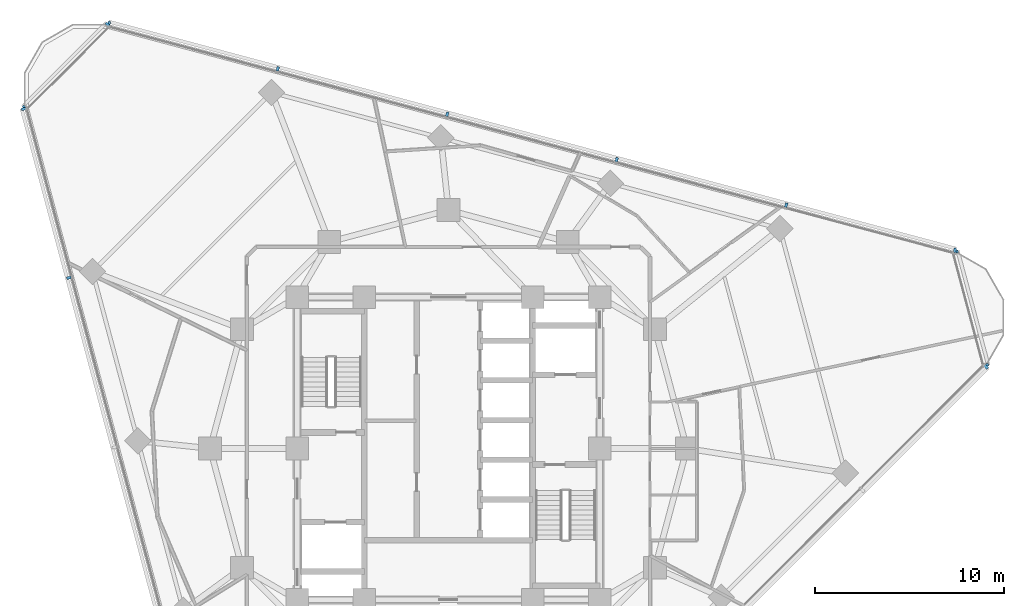
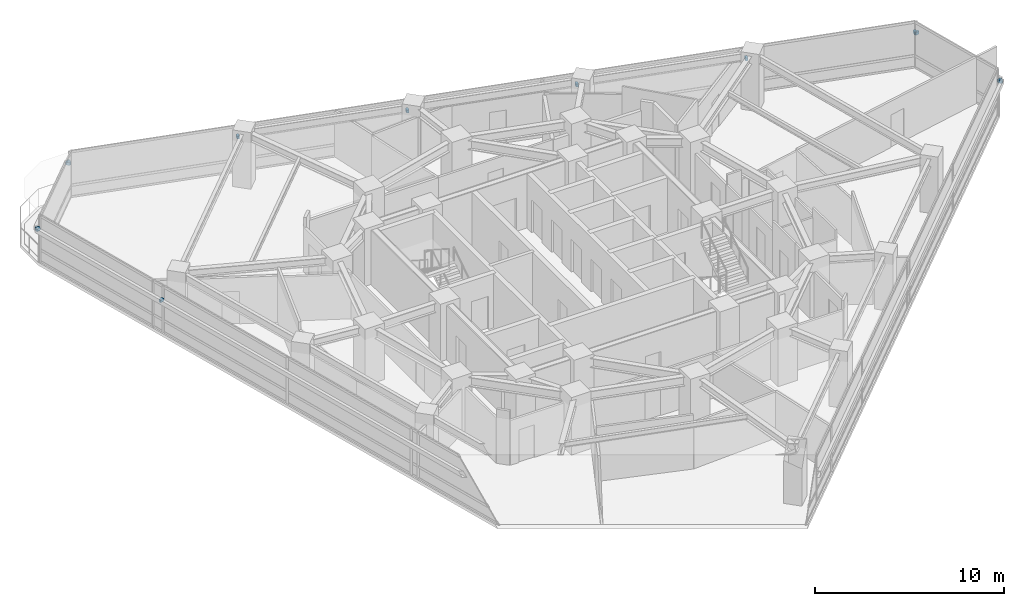
# One storey, part 10 of 14: 13 discrete accessories.
"""IFC4 building model written with IfcOpenShell, lengths in metres."""

from ifc_helpers import new_model, si_unit, direction, frame, origin, origin_2d, place, context, subcontext, project, spatial, rectangle, extrude, material, type_object, element, save


model = new_model("IFC4")

# Units and contexts
model_context = context("Model", 3, precision=1e-05, world=origin(), true_north=direction((0.0, 1.0)))
body_context = subcontext(model_context, "Body", "Model", "MODEL_VIEW")
ifc_project = project(units=[si_unit("LENGTHUNIT", "METRE"), si_unit("AREAUNIT", "SQUARE_METRE"), si_unit("VOLUMEUNIT", "CUBIC_METRE"), si_unit("PLANEANGLEUNIT", "RADIAN"), si_unit("MASSUNIT", "GRAM", prefix="KILO")], contexts=[model_context])

# Site, building, storey
site_placement = place(None, origin())
site = spatial("IfcSite", under=ifc_project, at=site_placement, CompositionType="ELEMENT")
building_placement = place(site_placement, origin())
building = spatial("IfcBuilding", under=site, at=building_placement, Name="Terralouvre Media Tower", CompositionType="ELEMENT")
storey_placement = place(building_placement, frame((0.0, 0.0, 184.199951171875)))
storey = spatial("IfcBuildingStorey", under=building, at=storey_placement, Name="L47", CompositionType="ELEMENT", Elevation=184.199951171875)

# Discrete accessories
ifc_material = material(Name="Anodised extruded aluminium 6063-T6", Category="aluminium")
discrete_accessory_type = type_object("IfcDiscreteAccessoryType", Name="Mullion Stand-Off Baguette Fixing Bracket BK-01", PredefinedType="BRACKET", material=ifc_material)
for number, where, z_axis, x_axis, name in (
    (1, (28.41552734375, 4.31298828125, 2.07421875), (0.0, 0.0, 1.0), (0.707106781187, 0.707106781187, 0.0), "CW-L47-F0 Baguette Outrigger Bracket 1.06"),
    (2, (26.764892578125, 10.472412109375, 2.07421875), (0.0, 0.0, 1.0), (-0.96592582942, 0.25881903342, 0.0), "CW-L47-F1 Baguette Outrigger Bracket 1.01"),
    (3, (17.84521484375, 12.862548828125, 2.07421875), (0.0, 0.0, 1.0), (-0.96592582942, 0.25881903342, 0.0), "CW-L47-F1 Baguette Outrigger Bracket 1.02"),
    (4, (8.88916015625, 15.262451171875, 2.07421875), (0.0, 0.0, 1.0), (-0.96592582942, 0.25881903342, 0.0), "CW-L47-F1 Baguette Outrigger Bracket 1.03"),
    (5, (-0.06689453125, 17.662109375, 2.07421875), (0.0, 0.0, 1.0), (-0.96592582942, 0.25881903342, 0.0), "CW-L47-F1 Baguette Outrigger Bracket 1.04"),
    (6, (-9.02294921875, 20.06201171875, 2.07421875), (0.0, 0.0, 1.0), (-0.96592582942, 0.25881903342, 0.0), "CW-L47-F1 Baguette Outrigger Bracket 1.05"),
    (7, (-17.94287109375, 22.451904296875, 2.07421875), (0.0, 0.0, 1.0), (-0.96592582942, 0.25881903342, 0.0), "CW-L47-F1 Baguette Outrigger Bracket 1.06"),
    (8, (-22.451904296875, 17.94287109375, 2.07421875), (0.0, 0.0, 1.0), (0.25881903342, -0.96592582942, 0.0), "CW-L47-F2 Baguette Outrigger Bracket 1.01"),
    (9, (-20.06201171875, 9.02294921875, 2.07421875), (0.0, 0.0, 1.0), (0.25881903342, -0.96592582942, 0.0), "CW-L47-F2 Baguette Outrigger Bracket 1.02"),
    (10, (28.42333984375, 4.4091796875, 2.07421875), (0.0, 0.0, 1.0), (-0.258818728144, 0.965925911218, 0.0), "CW-L47-C1 Baguette Outrigger Bracket 1.01"),
    (11, (26.81982421875, 10.39306640625, 2.07421875), (0.0, 0.0, 1.0), (-0.258818728144, 0.965925911218, 0.0), "CW-L47-C1 Baguette Outrigger Bracket 1.02"),
    (12, (-18.030029296875, 22.41064453125, 2.07421875), (0.0, 0.0, 1.0), (-0.707106781187, -0.707106781187, 0.0), "CW-L47-C2 Baguette Outrigger Bracket 1.01"),
    (13, (-22.41064453125, 18.030029296875, 2.07421875), (0.0, 0.0, 1.0), (-0.707106781187, -0.707106781187, 0.0), "CW-L47-C2 Baguette Outrigger Bracket 1.02"),
):
    element("IfcDiscreteAccessory", number, at=place(storey_placement, frame(where, z_axis=z_axis, x_axis=x_axis)), inside=storey, type_object=discrete_accessory_type, Name=name, PredefinedType="BRACKET", context=body_context, shape_type="SweptSolid", body=[
        extrude(rectangle(XDim=0.139892578125, YDim=0.239990234375, at=origin_2d()), origin(), (0.0, 0.0, 1.0), 0.179931640625),
    ])

save(model, "model.ifc")
